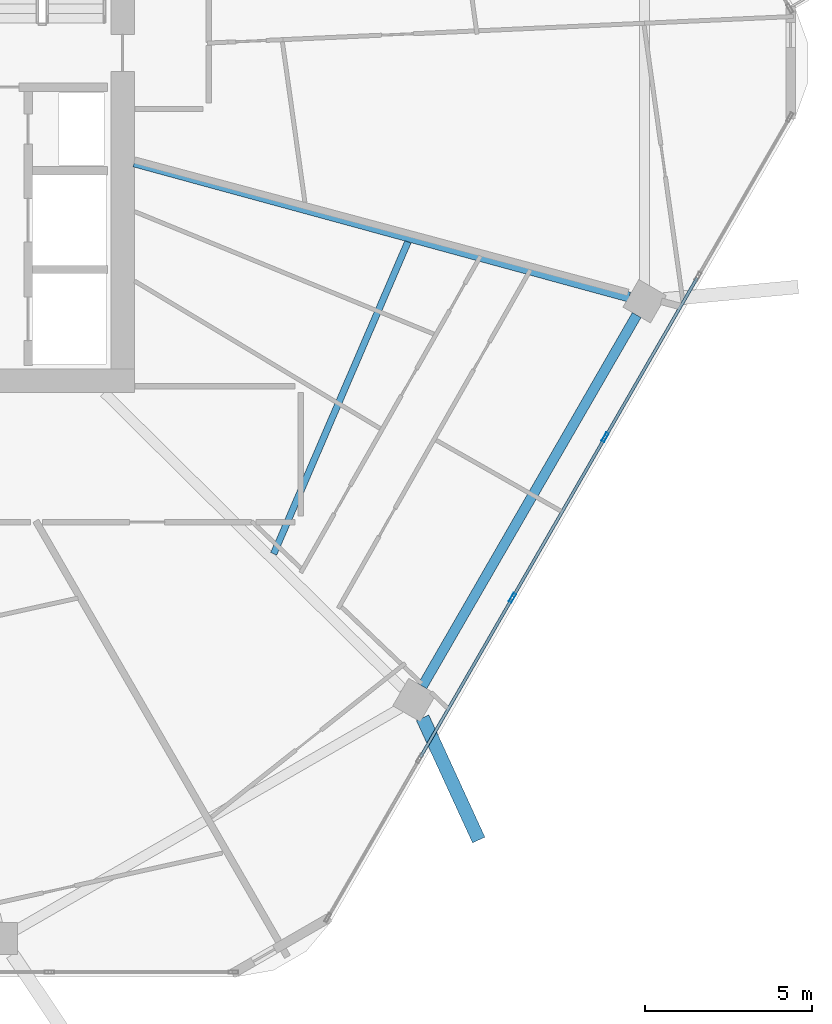
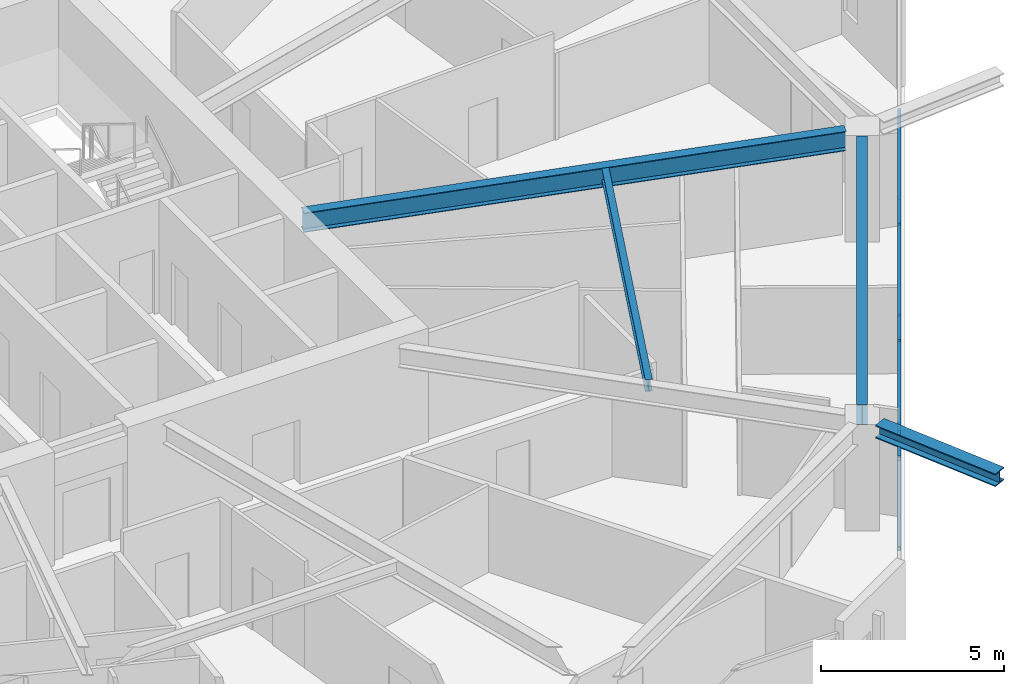
# One storey, part 8 of 26: 8 members, 4 beams, 1 element without a shape of its own.
"""IFC4 building model written with IfcOpenShell, lengths in metres."""

from ifc_helpers import new_model, si_unit, direction, frame, origin, origin_2d, place, context, subcontext, project, spatial, hollow_rectangle, i_section, extrude, material, material_profile, profile_set, type_object, element, aggregate, save


model = new_model("IFC4")

# Units and contexts
model_context = context("Model", 3, precision=1e-05, world=origin(), true_north=direction((0.0, 1.0)))
body_context = subcontext(model_context, "Body", "Model", "MODEL_VIEW")
ifc_project = project(units=[si_unit("LENGTHUNIT", "METRE"), si_unit("AREAUNIT", "SQUARE_METRE"), si_unit("VOLUMEUNIT", "CUBIC_METRE"), si_unit("PLANEANGLEUNIT", "RADIAN"), si_unit("MASSUNIT", "GRAM", prefix="KILO")], contexts=[model_context])

# Site, building, storey
site_placement = place(None, origin())
site = spatial("IfcSite", under=ifc_project, at=site_placement, CompositionType="ELEMENT")
building_placement = place(site_placement, origin())
building = spatial("IfcBuilding", under=site, at=building_placement, Name="Zuhravey Tower", CompositionType="ELEMENT")
storey_placement = place(building_placement, frame((0.0, 0.0, 203.60009765625)))
storey = spatial("IfcBuildingStorey", under=building, at=storey_placement, Name="L51", CompositionType="ELEMENT", Elevation=203.60009765625)

# Curtain wall, members
ifc_material_1 = material(Name="Thermally broken anodised aluminium", Category="aluminium")
curtain_wall_type = type_object("IfcCurtainWallType", Name="Zone 1-2 Residential Curtain Wall CW3", PredefinedType="NOTDEFINED", material=ifc_material_1)
curtain_wall_placement = place(storey_placement, origin())
curtain_wall = element("IfcCurtainWall", 1, at=curtain_wall_placement, inside=storey, type_object=curtain_wall_type, Name="L51 CW3 CW-L51-F6-1", PredefinedType="NOTDEFINED")
ifc_material_2 = material(Name="Anodised aluminium", Category="aluminium")
ifc_material_profile_1 = material_profile(ifc_material_2, hollow_rectangle(XDim=0.090087890625, YDim=0.284912109375, WallThickness=0.0048828125, at=origin_2d()), Name="ALU-RHS-90x285x5")
ifc_profile_set_1 = profile_set([ifc_material_profile_1], Name="Anodised aluminium")
member_type_1 = type_object("IfcMemberType", Name="Curtain-Wall Mullion 90x180", PredefinedType="MULLION", material=ifc_profile_set_1)
member_1_placement = place(storey_placement, frame((60.92724609375, 20.809326171875, 0.0), z_axis=(0.0, 0.0, 1.0), x_axis=(0.866025138215, -0.500000459979, 0.0)))
member_1 = element("IfcMember", 2, at=member_1_placement, type_object=member_type_1, Name="CW3 mullion 3", PredefinedType="MULLION", context=body_context, shape_type="SweptSolid", body=[
    extrude(hollow_rectangle(XDim=0.090087890625, YDim=0.284912109375, WallThickness=0.0048828125, at=origin_2d()), origin(), (0.0, 0.0, 1.0), 3.121826171875),
])
member_2_placement = place(storey_placement, frame((58.155029296875, 16.007568359375, 0.0), z_axis=(0.0, 0.0, 1.0), x_axis=(0.866025138215, -0.500000459979, 0.0)))
member_2 = element("IfcMember", 3, at=member_2_placement, type_object=member_type_1, Name="CW3 mullion 4", PredefinedType="MULLION", context=body_context, shape_type="SweptSolid", body=[
    extrude(hollow_rectangle(XDim=0.090087890625, YDim=0.284912109375, WallThickness=0.0048828125, at=origin_2d()), origin(), (0.0, 0.0, 1.0), 3.121826171875),
])
ifc_material_profile_2 = material_profile(ifc_material_2, hollow_rectangle(XDim=0.090087890625, YDim=0.14990234375, WallThickness=0.0048828125, at=origin_2d()), Name="ALU-RHS-90x150x5")
ifc_profile_set_2 = profile_set([ifc_material_profile_2], Name="Anodised aluminium")
member_type_2 = type_object("IfcMemberType", Name="Curtain-Wall Transom 90x150", PredefinedType="USERDEFINED", material=ifc_profile_set_2)
member_3_placement = place(storey_placement, frame((63.677001953125, 25.572021484375, 0.044921875), z_axis=(-0.49996138257, -0.86604769842, 0.0), x_axis=(0.86604769842, -0.49996138257, 0.0)))
member_3 = element("IfcMember", 4, at=member_3_placement, type_object=member_type_2, Name="CW3 transom 2.1", ObjectType="TRANSOM", PredefinedType="USERDEFINED", context=body_context, shape_type="SweptSolid", body=[
    extrude(hollow_rectangle(XDim=0.090087890625, YDim=0.14990234375, WallThickness=0.0048828125, at=origin_2d()), origin(), (0.0, 0.0, 1.0), 5.45458984375),
])
member_4_placement = place(storey_placement, frame((63.677001953125, 25.572021484375, 3.076904296875), z_axis=(-0.49996138257, -0.86604769842, 0.0), x_axis=(0.86604769842, -0.49996138257, 0.0)))
member_4 = element("IfcMember", 5, at=member_4_placement, type_object=member_type_2, Name="CW3 transom 2.2", ObjectType="TRANSOM", PredefinedType="USERDEFINED", context=body_context, shape_type="SweptSolid", body=[
    extrude(hollow_rectangle(XDim=0.090087890625, YDim=0.14990234375, WallThickness=0.0048828125, at=origin_2d()), origin(), (0.0, 0.0, 1.0), 5.45458984375),
])
member_5_placement = place(storey_placement, frame((60.90478515625, 20.770263671875, 0.044921875), z_axis=(-0.499980763544, -0.866036509673, 0.0), x_axis=(0.866036509673, -0.499980763544, 0.0)))
member_5 = element("IfcMember", 6, at=member_5_placement, type_object=member_type_2, Name="CW3 transom 3.1", ObjectType="TRANSOM", PredefinedType="USERDEFINED", context=body_context, shape_type="SweptSolid", body=[
    extrude(hollow_rectangle(XDim=0.090087890625, YDim=0.14990234375, WallThickness=0.0048828125, at=origin_2d()), origin(), (0.0, 0.0, 1.0), 5.454345703125),
])
member_6_placement = place(storey_placement, frame((60.90478515625, 20.770263671875, 3.076904296875), z_axis=(-0.499980763544, -0.866036509673, 0.0), x_axis=(0.866036509673, -0.499980763544, 0.0)))
member_6 = element("IfcMember", 7, at=member_6_placement, type_object=member_type_2, Name="CW3 transom 3.2", ObjectType="TRANSOM", PredefinedType="USERDEFINED", context=body_context, shape_type="SweptSolid", body=[
    extrude(hollow_rectangle(XDim=0.090087890625, YDim=0.14990234375, WallThickness=0.0048828125, at=origin_2d()), origin(), (0.0, 0.0, 1.0), 5.454345703125),
])
member_7_placement = place(storey_placement, frame((58.132568359375, 15.96875, 0.044921875), z_axis=(-0.49996138257, -0.86604769842, 0.0), x_axis=(0.86604769842, -0.49996138257, 0.0)))
member_7 = element("IfcMember", 8, at=member_7_placement, type_object=member_type_2, Name="CW3 transom 4.1", ObjectType="TRANSOM", PredefinedType="USERDEFINED", context=body_context, shape_type="SweptSolid", body=[
    extrude(hollow_rectangle(XDim=0.090087890625, YDim=0.14990234375, WallThickness=0.0048828125, at=origin_2d()), origin(), (0.0, 0.0, 1.0), 5.45458984375),
])
member_8_placement = place(storey_placement, frame((58.132568359375, 15.96875, 3.076904296875), z_axis=(-0.49996138257, -0.86604769842, 0.0), x_axis=(0.86604769842, -0.49996138257, 0.0)))
member_8 = element("IfcMember", 9, at=member_8_placement, type_object=member_type_2, Name="CW3 transom 4.2", ObjectType="TRANSOM", PredefinedType="USERDEFINED", context=body_context, shape_type="SweptSolid", body=[
    extrude(hollow_rectangle(XDim=0.090087890625, YDim=0.14990234375, WallThickness=0.0048828125, at=origin_2d()), origin(), (0.0, 0.0, 1.0), 5.45458984375),
])
aggregate(curtain_wall, [member_1, member_2, member_3, member_4, member_5, member_6, member_7, member_8])

# Beams
ifc_material_3 = material(Name="Steel SM460", Category="steel")
ifc_material_profile_3 = material_profile(ifc_material_3, i_section(OverallWidth=0.406982421875, OverallDepth=0.427978515625, WebThickness=0.02001953125, FlangeThickness=0.034912109375, at=origin_2d()), Name="H-428x407x20x35")
ifc_profile_set_3 = profile_set([ifc_material_profile_3], Name="Steel SM460")
beam_type_1 = type_object("IfcBeamType", Name="Exoskeleton Node Tie Beam H428x407", PredefinedType="BEAM", material=ifc_profile_set_3)
beam_1_placement = place(storey_placement, frame((55.47021484375, 12.420654296875, 3.3359375), z_axis=(0.417281960524, -0.908777071355, 0.0), x_axis=(0.908777071355, 0.417281960524, 0.0)))
element("IfcBeam", 10, at=beam_1_placement, inside=storey, type_object=beam_type_1, Name="L51 Exoskeleton Node Tie NT1-11", PredefinedType="BEAM", context=body_context, shape_type="SweptSolid", body=[
    extrude(i_section(OverallWidth=0.406982421875, OverallDepth=0.427978515625, WebThickness=0.02001953125, FlangeThickness=0.034912109375, at=origin_2d()), origin(), (0.0, 0.0, 1.0), 4.02001953125),
])
ifc_material_4 = material(Name="Steel SM355", Category="steel")
ifc_material_profile_4 = material_profile(ifc_material_4, i_section(OverallWidth=0.300048828125, OverallDepth=0.679931640625, WebThickness=0.012939453125, FlangeThickness=0.02197265625, at=origin_2d()), Name="H-680x300x13x22")
ifc_profile_set_4 = profile_set([ifc_material_profile_4], Name="Steel SM355")
beam_type_2 = type_object("IfcBeamType", Name="Perimeter Ring Beam H680x300", PredefinedType="BEAM", material=ifc_profile_set_4)
beam_2_placement = place(storey_placement, frame((55.464599609375, 13.367431640625, 3.2099609375), z_axis=(0.500003505699, 0.866023379758, 0.0), x_axis=(-0.866023379758, 0.500003505699, 0.0)))
element("IfcBeam", 11, at=beam_2_placement, inside=storey, type_object=beam_type_2, Name="L51 PB2 BM-L51-PB-11", PredefinedType="BEAM", context=body_context, shape_type="SweptSolid", body=[
    extrude(i_section(OverallWidth=0.300048828125, OverallDepth=0.679931640625, WebThickness=0.012939453125, FlangeThickness=0.02197265625, at=origin_2d()), origin(), (0.0, 0.0, 1.0), 12.80810546875),
])
ifc_material_profile_5 = material_profile(ifc_material_4, i_section(OverallWidth=0.300048828125, OverallDepth=0.64990234375, WebThickness=0.012939453125, FlangeThickness=0.02197265625, at=origin_2d()), Name="H-650x300x13x22")
ifc_profile_set_5 = profile_set([ifc_material_profile_5], Name="Steel SM355")
beam_type_3 = type_object("IfcBeamType", Name="Radial Primary Girder H650x300", PredefinedType="BEAM", material=ifc_profile_set_5)
beam_3_placement = place(storey_placement, frame((46.85302734375, 29.03759765625, 3.224853515625), z_axis=(0.964701703464, -0.263345065139, 0.0), x_axis=(0.263345065139, 0.964701703464, 0.0)))
element("IfcBeam", 12, at=beam_3_placement, inside=storey, type_object=beam_type_3, Name="L51 RG2 BM-L51-RAD-12", PredefinedType="BEAM", context=body_context, shape_type="SweptSolid", body=[
    extrude(i_section(OverallWidth=0.300048828125, OverallDepth=0.64990234375, WebThickness=0.012939453125, FlangeThickness=0.02197265625, at=origin_2d()), origin(), (0.0, 0.0, 1.0), 15.334716796875),
])
ifc_material_profile_6 = material_profile(ifc_material_4, i_section(OverallWidth=0.199951171875, OverallDepth=0.39990234375, WebThickness=0.008056640625, FlangeThickness=0.012939453125, at=origin_2d()), Name="H-400x200x8x13")
ifc_profile_set_6 = profile_set([ifc_material_profile_6], Name="Steel SM355")
beam_type_4 = type_object("IfcBeamType", Name="Secondary Floor Joist H400x200", PredefinedType="JOIST", material=ifc_profile_set_6)
beam_4_placement = place(storey_placement, frame((51.017578125, 17.323974609375, 3.349853515625), z_axis=(0.395265853487, 0.918566766799, 0.0), x_axis=(-0.918566766799, 0.395265853487, 0.0)))
element("IfcBeam", 13, at=beam_4_placement, inside=storey, type_object=beam_type_4, Name="L51 SJ2 BM-L51-SJ-11-1", PredefinedType="JOIST", context=body_context, shape_type="SweptSolid", body=[
    extrude(i_section(OverallWidth=0.199951171875, OverallDepth=0.39990234375, WebThickness=0.008056640625, FlangeThickness=0.012939453125, at=origin_2d()), origin(), (0.0, 0.0, 1.0), 10.150146484375),
])

save(model, "model.ifc")
